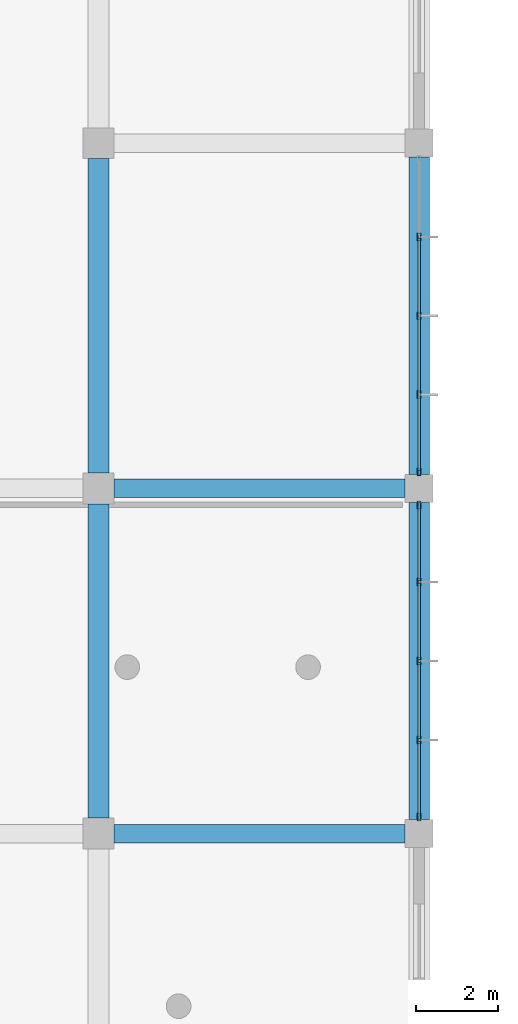
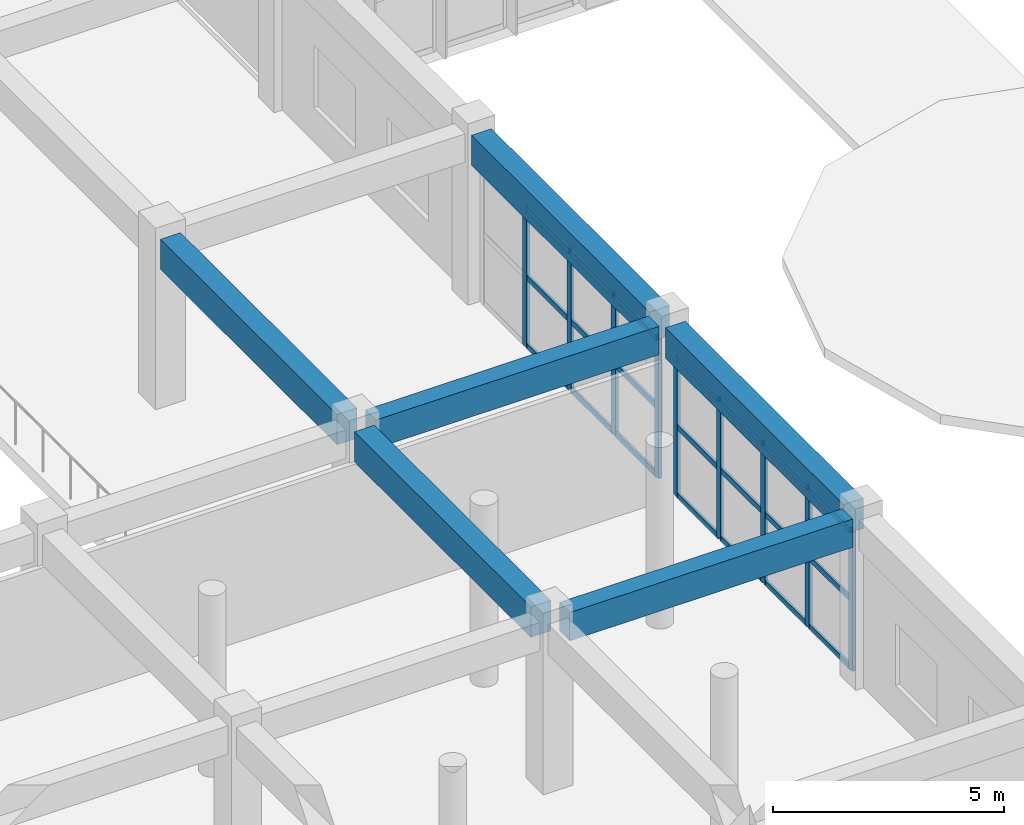
# One storey, part 88 of 175: 30 members, 6 beams, 2 elements without a shape of their own.
"""IFC4 building model written with IfcOpenShell, lengths in metres."""

from ifc_helpers import new_model, si_unit, direction, frame, origin, origin_2d, place, context, subcontext, project, spatial, rectangle, hollow_rectangle, extrude, material, layer, layer_set, material_profile, profile_set, type_object, element, aggregate, save


model = new_model("IFC4")

# Units and contexts
model_context = context("Model", 3, precision=1e-05, world=origin(), true_north=direction((0.0, 1.0)))
body_context = subcontext(model_context, "Body", "Model", "MODEL_VIEW")
ifc_project = project(units=[si_unit("LENGTHUNIT", "METRE"), si_unit("AREAUNIT", "SQUARE_METRE"), si_unit("VOLUMEUNIT", "CUBIC_METRE"), si_unit("PLANEANGLEUNIT", "RADIAN"), si_unit("MASSUNIT", "GRAM", prefix="KILO")], contexts=[model_context])

# Site, building, storey
site_placement = place(None, origin())
site = spatial("IfcSite", under=ifc_project, at=site_placement, CompositionType="ELEMENT")
building_placement = place(site_placement, origin())
building = spatial("IfcBuilding", under=site, at=building_placement, Name="Zizhar Promenade General Hospital", CompositionType="ELEMENT")
storey_placement = place(building_placement, frame((0.0, 0.0, 4.800048828125)))
storey = spatial("IfcBuildingStorey", under=building, at=storey_placement, Name="L01", CompositionType="ELEMENT", Elevation=4.800048828125)

# Beams
ifc_material_1 = material(Name="Concrete C35/45", Category="concrete")
ifc_material_profile_1 = material_profile(ifc_material_1, rectangle(XDim=0.449951171875, YDim=0.75, at=origin_2d()))
ifc_profile_set_1 = profile_set([ifc_material_profile_1], Name="Concrete C35/45")
beam_type_1 = type_object("IfcBeamType", Name="BM-RC-450x750", PredefinedType="BEAM", material=ifc_profile_set_1)
for number, where, z_axis, x_axis, name in (
    (1, (125.175048828125, 16.800048828125, 4.094970703125), (1.0, 0.0, 0.0), (0.0, 1.0, 0.0), "Grid Beam X L01 (16-2)"),
    (2, (125.175048828125, 25.199951171875, 4.094970703125), (1.0, 0.0, 0.0), (0.0, 1.0, 0.0), "Grid Beam X L01 (16-3)"),
):
    element("IfcBeam", number, at=place(storey_placement, frame(where, z_axis=z_axis, x_axis=x_axis)), inside=storey, type_object=beam_type_1, Name=name, PredefinedType="BEAM", context=body_context, shape_type="SweptSolid", body=[
        extrude(rectangle(XDim=0.449951171875, YDim=0.75, at=origin_2d()), origin(), (0.0, 0.0, 1.0), 7.0849609375),
    ])
ifc_material_2 = material(Name="Concrete C35/45", Category="concrete")
ifc_material_profile_2 = material_profile(ifc_material_2, rectangle(XDim=0.5, YDim=0.800048828125, at=origin_2d()))
ifc_profile_set_2 = profile_set([ifc_material_profile_2], Name="Concrete C35/45")
beam_type_2 = type_object("IfcBeamType", Name="BM-RC-500x800", PredefinedType="BEAM", material=ifc_profile_set_2)
beam_1_placement = place(storey_placement, frame((124.800048828125, 17.175048828125, 4.070068359375), z_axis=(0.0, 1.0, 0.0), x_axis=(-1.0, 0.0, 0.0)))
element("IfcBeam", 3, at=beam_1_placement, inside=storey, type_object=beam_type_2, Name="Grid Beam Y L01 (16-2)", PredefinedType="BEAM", context=body_context, shape_type="SweptSolid", body=[
    extrude(rectangle(XDim=0.5, YDim=0.800048828125, at=origin_2d()), origin(), (0.0, 0.0, 1.0), 7.64990234375),
])
beam_2_placement = place(storey_placement, frame((124.800048828125, 25.574951171875, 4.070068359375), z_axis=(0.0, 1.0, 0.0), x_axis=(-1.0, 0.0, 0.0)))
element("IfcBeam", 4, at=beam_2_placement, inside=storey, type_object=beam_type_2, Name="Grid Beam Y L01 (16-3)", PredefinedType="BEAM", context=body_context, shape_type="SweptSolid", body=[
    extrude(rectangle(XDim=0.5, YDim=0.800048828125, at=origin_2d()), origin(), (0.0, 0.0, 1.0), 7.650146484375),
])
beam_3_placement = place(storey_placement, frame((132.60009765625, 17.139892578125, 4.070068359375), z_axis=(0.0, 1.0, 0.0), x_axis=(-1.0, 0.0, 0.0)))
element("IfcBeam", 5, at=beam_3_placement, inside=storey, type_object=beam_type_2, Name="Grid Beam Y L01 (17-2)", PredefinedType="BEAM", context=body_context, shape_type="SweptSolid", body=[
    extrude(rectangle(XDim=0.5, YDim=0.800048828125, at=origin_2d()), origin(), (0.0, 0.0, 1.0), 7.72021484375),
])
beam_4_placement = place(storey_placement, frame((132.60009765625, 25.5400390625, 4.070068359375), z_axis=(0.0, 1.0, 0.0), x_axis=(-1.0, 0.0, 0.0)))
element("IfcBeam", 6, at=beam_4_placement, inside=storey, type_object=beam_type_2, Name="Grid Beam Y L01 (17-3)", PredefinedType="BEAM", context=body_context, shape_type="SweptSolid", body=[
    extrude(rectangle(XDim=0.5, YDim=0.800048828125, at=origin_2d()), origin(), (0.0, 0.0, 1.0), 7.719970703125),
])

# Curtain wall, members
ifc_material_3 = material(Name="Anodised aluminium 6063-T6 and low-E glass", Category="aluminium")
ifc_layer = layer(ifc_material_3, 0.159912109375)
ifc_layer_set = layer_set([ifc_layer], Name="Anodised aluminium 6063-T6 and low-E glass")
curtain_wall_type = type_object("IfcCurtainWallType", Name="CW-HALL-S", PredefinedType="NOTDEFINED", material=ifc_layer_set)
curtain_wall_1_placement = place(storey_placement, origin())
curtain_wall_1 = element("IfcCurtainWall", 7, at=curtain_wall_1_placement, inside=storey, type_object=curtain_wall_type, Name="Forecourt Arrival Glazed Curtain Wall L01-2", PredefinedType="NOTDEFINED")
ifc_material_4 = material(Name="Anodised aluminium 6063-T6", Category="aluminium")
ifc_material_profile_3 = material_profile(ifc_material_4, hollow_rectangle(XDim=0.080078125, YDim=0.179931640625, WallThickness=0.0048828125, at=origin_2d()))
ifc_profile_set_3 = profile_set([ifc_material_profile_3], Name="Anodised aluminium 6063-T6")
member_type_1 = type_object("IfcMemberType", Name="CWM-ALU-180x80", PredefinedType="MULLION", material=ifc_profile_set_3)
member_1_placement = place(storey_placement, frame((132.60009765625, 24.800048828125, 0.0), z_axis=(0.0, 0.0, 1.0), x_axis=(1.0, 0.0, 0.0)))
member_1 = element("IfcMember", 8, at=member_1_placement, type_object=member_type_1, Name="CW-01 mullion 1", PredefinedType="MULLION", context=body_context, shape_type="SweptSolid", body=[
    extrude(hollow_rectangle(XDim=0.080078125, YDim=0.179931640625, WallThickness=0.0048828125, at=origin_2d()), origin(), (0.0, 0.0, 1.0), 3.679931640625),
])
member_2_placement = place(storey_placement, frame((132.60009765625, 22.919921875, 0.0), z_axis=(0.0, 0.0, 1.0), x_axis=(1.0, 0.0, 0.0)))
member_2 = element("IfcMember", 9, at=member_2_placement, type_object=member_type_1, Name="CW-01 mullion 2", PredefinedType="MULLION", context=body_context, shape_type="SweptSolid", body=[
    extrude(hollow_rectangle(XDim=0.080078125, YDim=0.179931640625, WallThickness=0.0048828125, at=origin_2d()), origin(), (0.0, 0.0, 1.0), 3.679931640625),
])
member_3_placement = place(storey_placement, frame((132.60009765625, 21.0, 0.0), z_axis=(0.0, 0.0, 1.0), x_axis=(1.0, 0.0, 0.0)))
member_3 = element("IfcMember", 10, at=member_3_placement, type_object=member_type_1, Name="CW-01 mullion 3", PredefinedType="MULLION", context=body_context, shape_type="SweptSolid", body=[
    extrude(hollow_rectangle(XDim=0.080078125, YDim=0.179931640625, WallThickness=0.0048828125, at=origin_2d()), origin(), (0.0, 0.0, 1.0), 3.679931640625),
])
member_4_placement = place(storey_placement, frame((132.60009765625, 19.080078125, 0.0), z_axis=(0.0, 0.0, 1.0), x_axis=(1.0, 0.0, 0.0)))
member_4 = element("IfcMember", 11, at=member_4_placement, type_object=member_type_1, Name="CW-01 mullion 4", PredefinedType="MULLION", context=body_context, shape_type="SweptSolid", body=[
    extrude(hollow_rectangle(XDim=0.080078125, YDim=0.179931640625, WallThickness=0.0048828125, at=origin_2d()), origin(), (0.0, 0.0, 1.0), 3.679931640625),
])
member_5_placement = place(storey_placement, frame((132.60009765625, 17.199951171875, 0.0), z_axis=(0.0, 0.0, 1.0), x_axis=(1.0, 0.0, 0.0)))
member_5 = element("IfcMember", 12, at=member_5_placement, type_object=member_type_1, Name="CW-01 mullion 5", PredefinedType="MULLION", context=body_context, shape_type="SweptSolid", body=[
    extrude(hollow_rectangle(XDim=0.080078125, YDim=0.179931640625, WallThickness=0.0048828125, at=origin_2d()), origin(), (0.0, 0.0, 1.0), 3.679931640625),
])

curtain_wall_2_placement = place(storey_placement, origin())
curtain_wall_2 = element("IfcCurtainWall", 13, at=curtain_wall_2_placement, inside=storey, type_object=curtain_wall_type, Name="Forecourt Arrival Glazed Curtain Wall L01-3", PredefinedType="NOTDEFINED")
member_6_placement = place(storey_placement, frame((132.60009765625, 31.320068359375, 0.0), z_axis=(0.0, 0.0, 1.0), x_axis=(1.0, 0.0, 0.0)))
member_6 = element("IfcMember", 14, at=member_6_placement, type_object=member_type_1, Name="CW-01 mullion 2", PredefinedType="MULLION", context=body_context, shape_type="SweptSolid", body=[
    extrude(hollow_rectangle(XDim=0.080078125, YDim=0.179931640625, WallThickness=0.0048828125, at=origin_2d()), origin(), (0.0, 0.0, 1.0), 3.679931640625),
])
member_7_placement = place(storey_placement, frame((132.60009765625, 29.39990234375, 0.0), z_axis=(0.0, 0.0, 1.0), x_axis=(1.0, 0.0, 0.0)))
member_7 = element("IfcMember", 15, at=member_7_placement, type_object=member_type_1, Name="CW-01 mullion 3", PredefinedType="MULLION", context=body_context, shape_type="SweptSolid", body=[
    extrude(hollow_rectangle(XDim=0.080078125, YDim=0.179931640625, WallThickness=0.0048828125, at=origin_2d()), origin(), (0.0, 0.0, 1.0), 3.679931640625),
])
member_8_placement = place(storey_placement, frame((132.60009765625, 27.47998046875, 0.0), z_axis=(0.0, 0.0, 1.0), x_axis=(1.0, 0.0, 0.0)))
member_8 = element("IfcMember", 16, at=member_8_placement, type_object=member_type_1, Name="CW-01 mullion 4", PredefinedType="MULLION", context=body_context, shape_type="SweptSolid", body=[
    extrude(hollow_rectangle(XDim=0.080078125, YDim=0.179931640625, WallThickness=0.0048828125, at=origin_2d()), origin(), (0.0, 0.0, 1.0), 3.679931640625),
])
member_9_placement = place(storey_placement, frame((132.60009765625, 25.60009765625, 0.0), z_axis=(0.0, 0.0, 1.0), x_axis=(1.0, 0.0, 0.0)))
member_9 = element("IfcMember", 17, at=member_9_placement, type_object=member_type_1, Name="CW-01 mullion 5", PredefinedType="MULLION", context=body_context, shape_type="SweptSolid", body=[
    extrude(hollow_rectangle(XDim=0.080078125, YDim=0.179931640625, WallThickness=0.0048828125, at=origin_2d()), origin(), (0.0, 0.0, 1.0), 3.679931640625),
])

# Member
ifc_material_5 = material(Name="Anodised aluminium 6063-T6", Category="aluminium")
ifc_material_profile_4 = material_profile(ifc_material_5, hollow_rectangle(XDim=0.06005859375, YDim=0.14990234375, WallThickness=0.00390625, at=origin_2d()))
ifc_profile_set_4 = profile_set([ifc_material_profile_4], Name="Anodised aluminium 6063-T6")
member_type_2 = type_object("IfcMemberType", Name="CWT-ALU-150x60", PredefinedType="USERDEFINED", material=ifc_profile_set_4)
member_10_placement = place(storey_placement, frame((132.60009765625, 24.760009765625, 0.030029296875), z_axis=(0.0, -1.0, 0.0), x_axis=(1.0, 0.0, 0.0)))
member_10 = element("IfcMember", 18, at=member_10_placement, type_object=member_type_2, Name="CW-01 transom 1.1", ObjectType="TRANSOM", PredefinedType="USERDEFINED", context=body_context, shape_type="SweptSolid", body=[
    extrude(hollow_rectangle(XDim=0.06005859375, YDim=0.14990234375, WallThickness=0.00390625, at=origin_2d()), origin(), (0.0, 0.0, 1.0), 1.800048828125),
])

member_11_placement = place(storey_placement, frame((132.60009765625, 24.760009765625, 1.83984375), z_axis=(0.0, -1.0, 0.0), x_axis=(1.0, 0.0, 0.0)))
member_11 = element("IfcMember", 19, at=member_11_placement, type_object=member_type_2, Name="CW-01 transom 1.2", ObjectType="TRANSOM", PredefinedType="USERDEFINED", context=body_context, shape_type="SweptSolid", body=[
    extrude(hollow_rectangle(XDim=0.06005859375, YDim=0.14990234375, WallThickness=0.00390625, at=origin_2d()), origin(), (0.0, 0.0, 1.0), 1.800048828125),
])

member_12_placement = place(storey_placement, frame((132.60009765625, 24.760009765625, 3.64990234375), z_axis=(0.0, -1.0, 0.0), x_axis=(1.0, 0.0, 0.0)))
member_12 = element("IfcMember", 20, at=member_12_placement, type_object=member_type_2, Name="CW-01 transom 1.3", ObjectType="TRANSOM", PredefinedType="USERDEFINED", context=body_context, shape_type="SweptSolid", body=[
    extrude(hollow_rectangle(XDim=0.06005859375, YDim=0.14990234375, WallThickness=0.00390625, at=origin_2d()), origin(), (0.0, 0.0, 1.0), 1.800048828125),
])

member_13_placement = place(storey_placement, frame((132.60009765625, 22.8798828125, 0.030029296875), z_axis=(0.0, -1.0, 0.0), x_axis=(1.0, 0.0, 0.0)))
member_13 = element("IfcMember", 21, at=member_13_placement, type_object=member_type_2, Name="CW-01 transom 2.1", ObjectType="TRANSOM", PredefinedType="USERDEFINED", context=body_context, shape_type="SweptSolid", body=[
    extrude(hollow_rectangle(XDim=0.06005859375, YDim=0.14990234375, WallThickness=0.00390625, at=origin_2d()), origin(), (0.0, 0.0, 1.0), 1.83984375),
])

member_14_placement = place(storey_placement, frame((132.60009765625, 22.8798828125, 1.83984375), z_axis=(0.0, -1.0, 0.0), x_axis=(1.0, 0.0, 0.0)))
member_14 = element("IfcMember", 22, at=member_14_placement, type_object=member_type_2, Name="CW-01 transom 2.2", ObjectType="TRANSOM", PredefinedType="USERDEFINED", context=body_context, shape_type="SweptSolid", body=[
    extrude(hollow_rectangle(XDim=0.06005859375, YDim=0.14990234375, WallThickness=0.00390625, at=origin_2d()), origin(), (0.0, 0.0, 1.0), 1.83984375),
])

member_15_placement = place(storey_placement, frame((132.60009765625, 22.8798828125, 3.64990234375), z_axis=(0.0, -1.0, 0.0), x_axis=(1.0, 0.0, 0.0)))
member_15 = element("IfcMember", 23, at=member_15_placement, type_object=member_type_2, Name="CW-01 transom 2.3", ObjectType="TRANSOM", PredefinedType="USERDEFINED", context=body_context, shape_type="SweptSolid", body=[
    extrude(hollow_rectangle(XDim=0.06005859375, YDim=0.14990234375, WallThickness=0.00390625, at=origin_2d()), origin(), (0.0, 0.0, 1.0), 1.83984375),
])

member_16_placement = place(storey_placement, frame((132.60009765625, 20.9599609375, 0.030029296875), z_axis=(0.0, -1.0, 0.0), x_axis=(1.0, 0.0, 0.0)))
member_16 = element("IfcMember", 24, at=member_16_placement, type_object=member_type_2, Name="CW-01 transom 3.1", ObjectType="TRANSOM", PredefinedType="USERDEFINED", context=body_context, shape_type="SweptSolid", body=[
    extrude(hollow_rectangle(XDim=0.06005859375, YDim=0.14990234375, WallThickness=0.00390625, at=origin_2d()), origin(), (0.0, 0.0, 1.0), 1.83984375),
])

member_17_placement = place(storey_placement, frame((132.60009765625, 20.9599609375, 1.83984375), z_axis=(0.0, -1.0, 0.0), x_axis=(1.0, 0.0, 0.0)))
member_17 = element("IfcMember", 25, at=member_17_placement, type_object=member_type_2, Name="CW-01 transom 3.2", ObjectType="TRANSOM", PredefinedType="USERDEFINED", context=body_context, shape_type="SweptSolid", body=[
    extrude(hollow_rectangle(XDim=0.06005859375, YDim=0.14990234375, WallThickness=0.00390625, at=origin_2d()), origin(), (0.0, 0.0, 1.0), 1.83984375),
])

member_18_placement = place(storey_placement, frame((132.60009765625, 20.9599609375, 3.64990234375), z_axis=(0.0, -1.0, 0.0), x_axis=(1.0, 0.0, 0.0)))
member_18 = element("IfcMember", 26, at=member_18_placement, type_object=member_type_2, Name="CW-01 transom 3.3", ObjectType="TRANSOM", PredefinedType="USERDEFINED", context=body_context, shape_type="SweptSolid", body=[
    extrude(hollow_rectangle(XDim=0.06005859375, YDim=0.14990234375, WallThickness=0.00390625, at=origin_2d()), origin(), (0.0, 0.0, 1.0), 1.83984375),
])

member_19_placement = place(storey_placement, frame((132.60009765625, 19.0400390625, 0.030029296875), z_axis=(0.0, -1.0, 0.0), x_axis=(1.0, 0.0, 0.0)))
member_19 = element("IfcMember", 27, at=member_19_placement, type_object=member_type_2, Name="CW-01 transom 4.1", ObjectType="TRANSOM", PredefinedType="USERDEFINED", context=body_context, shape_type="SweptSolid", body=[
    extrude(hollow_rectangle(XDim=0.06005859375, YDim=0.14990234375, WallThickness=0.00390625, at=origin_2d()), origin(), (0.0, 0.0, 1.0), 1.800048828125),
])

member_20_placement = place(storey_placement, frame((132.60009765625, 19.0400390625, 1.83984375), z_axis=(0.0, -1.0, 0.0), x_axis=(1.0, 0.0, 0.0)))
member_20 = element("IfcMember", 28, at=member_20_placement, type_object=member_type_2, Name="CW-01 transom 4.2", ObjectType="TRANSOM", PredefinedType="USERDEFINED", context=body_context, shape_type="SweptSolid", body=[
    extrude(hollow_rectangle(XDim=0.06005859375, YDim=0.14990234375, WallThickness=0.00390625, at=origin_2d()), origin(), (0.0, 0.0, 1.0), 1.800048828125),
])

member_21_placement = place(storey_placement, frame((132.60009765625, 19.0400390625, 3.64990234375), z_axis=(0.0, -1.0, 0.0), x_axis=(1.0, 0.0, 0.0)))
member_21 = element("IfcMember", 29, at=member_21_placement, type_object=member_type_2, Name="CW-01 transom 4.3", ObjectType="TRANSOM", PredefinedType="USERDEFINED", context=body_context, shape_type="SweptSolid", body=[
    extrude(hollow_rectangle(XDim=0.06005859375, YDim=0.14990234375, WallThickness=0.00390625, at=origin_2d()), origin(), (0.0, 0.0, 1.0), 1.800048828125),
])

aggregate(curtain_wall_1, [member_1, member_2, member_3, member_4, member_5, member_10, member_11, member_12, member_13, member_14, member_15, member_16, member_17, member_18, member_19, member_20, member_21])

member_22_placement = place(storey_placement, frame((132.60009765625, 31.280029296875, 0.030029296875), z_axis=(0.0, -1.0, 0.0), x_axis=(1.0, 0.0, 0.0)))
member_22 = element("IfcMember", 30, at=member_22_placement, type_object=member_type_2, Name="CW-01 transom 2.1", ObjectType="TRANSOM", PredefinedType="USERDEFINED", context=body_context, shape_type="SweptSolid", body=[
    extrude(hollow_rectangle(XDim=0.06005859375, YDim=0.14990234375, WallThickness=0.00390625, at=origin_2d()), origin(), (0.0, 0.0, 1.0), 1.840087890625),
])

member_23_placement = place(storey_placement, frame((132.60009765625, 31.280029296875, 1.83984375), z_axis=(0.0, -1.0, 0.0), x_axis=(1.0, 0.0, 0.0)))
member_23 = element("IfcMember", 31, at=member_23_placement, type_object=member_type_2, Name="CW-01 transom 2.2", ObjectType="TRANSOM", PredefinedType="USERDEFINED", context=body_context, shape_type="SweptSolid", body=[
    extrude(hollow_rectangle(XDim=0.06005859375, YDim=0.14990234375, WallThickness=0.00390625, at=origin_2d()), origin(), (0.0, 0.0, 1.0), 1.840087890625),
])

member_24_placement = place(storey_placement, frame((132.60009765625, 31.280029296875, 3.64990234375), z_axis=(0.0, -1.0, 0.0), x_axis=(1.0, 0.0, 0.0)))
member_24 = element("IfcMember", 32, at=member_24_placement, type_object=member_type_2, Name="CW-01 transom 2.3", ObjectType="TRANSOM", PredefinedType="USERDEFINED", context=body_context, shape_type="SweptSolid", body=[
    extrude(hollow_rectangle(XDim=0.06005859375, YDim=0.14990234375, WallThickness=0.00390625, at=origin_2d()), origin(), (0.0, 0.0, 1.0), 1.840087890625),
])

member_25_placement = place(storey_placement, frame((132.60009765625, 29.360107421875, 0.030029296875), z_axis=(0.0, -1.0, 0.0), x_axis=(1.0, 0.0, 0.0)))
member_25 = element("IfcMember", 33, at=member_25_placement, type_object=member_type_2, Name="CW-01 transom 3.1", ObjectType="TRANSOM", PredefinedType="USERDEFINED", context=body_context, shape_type="SweptSolid", body=[
    extrude(hollow_rectangle(XDim=0.06005859375, YDim=0.14990234375, WallThickness=0.00390625, at=origin_2d()), origin(), (0.0, 0.0, 1.0), 1.840087890625),
])

member_26_placement = place(storey_placement, frame((132.60009765625, 29.360107421875, 1.83984375), z_axis=(0.0, -1.0, 0.0), x_axis=(1.0, 0.0, 0.0)))
member_26 = element("IfcMember", 34, at=member_26_placement, type_object=member_type_2, Name="CW-01 transom 3.2", ObjectType="TRANSOM", PredefinedType="USERDEFINED", context=body_context, shape_type="SweptSolid", body=[
    extrude(hollow_rectangle(XDim=0.06005859375, YDim=0.14990234375, WallThickness=0.00390625, at=origin_2d()), origin(), (0.0, 0.0, 1.0), 1.840087890625),
])

member_27_placement = place(storey_placement, frame((132.60009765625, 29.360107421875, 3.64990234375), z_axis=(0.0, -1.0, 0.0), x_axis=(1.0, 0.0, 0.0)))
member_27 = element("IfcMember", 35, at=member_27_placement, type_object=member_type_2, Name="CW-01 transom 3.3", ObjectType="TRANSOM", PredefinedType="USERDEFINED", context=body_context, shape_type="SweptSolid", body=[
    extrude(hollow_rectangle(XDim=0.06005859375, YDim=0.14990234375, WallThickness=0.00390625, at=origin_2d()), origin(), (0.0, 0.0, 1.0), 1.840087890625),
])

member_28_placement = place(storey_placement, frame((132.60009765625, 27.43994140625, 0.030029296875), z_axis=(0.0, -1.0, 0.0), x_axis=(1.0, 0.0, 0.0)))
member_28 = element("IfcMember", 36, at=member_28_placement, type_object=member_type_2, Name="CW-01 transom 4.1", ObjectType="TRANSOM", PredefinedType="USERDEFINED", context=body_context, shape_type="SweptSolid", body=[
    extrude(hollow_rectangle(XDim=0.06005859375, YDim=0.14990234375, WallThickness=0.00390625, at=origin_2d()), origin(), (0.0, 0.0, 1.0), 1.800048828125),
])

member_29_placement = place(storey_placement, frame((132.60009765625, 27.43994140625, 1.83984375), z_axis=(0.0, -1.0, 0.0), x_axis=(1.0, 0.0, 0.0)))
member_29 = element("IfcMember", 37, at=member_29_placement, type_object=member_type_2, Name="CW-01 transom 4.2", ObjectType="TRANSOM", PredefinedType="USERDEFINED", context=body_context, shape_type="SweptSolid", body=[
    extrude(hollow_rectangle(XDim=0.06005859375, YDim=0.14990234375, WallThickness=0.00390625, at=origin_2d()), origin(), (0.0, 0.0, 1.0), 1.800048828125),
])

member_30_placement = place(storey_placement, frame((132.60009765625, 27.43994140625, 3.64990234375), z_axis=(0.0, -1.0, 0.0), x_axis=(1.0, 0.0, 0.0)))
member_30 = element("IfcMember", 38, at=member_30_placement, type_object=member_type_2, Name="CW-01 transom 4.3", ObjectType="TRANSOM", PredefinedType="USERDEFINED", context=body_context, shape_type="SweptSolid", body=[
    extrude(hollow_rectangle(XDim=0.06005859375, YDim=0.14990234375, WallThickness=0.00390625, at=origin_2d()), origin(), (0.0, 0.0, 1.0), 1.800048828125),
])

aggregate(curtain_wall_2, [member_6, member_7, member_8, member_9, member_22, member_23, member_24, member_25, member_26, member_27, member_28, member_29, member_30])

save(model, "model.ifc")
